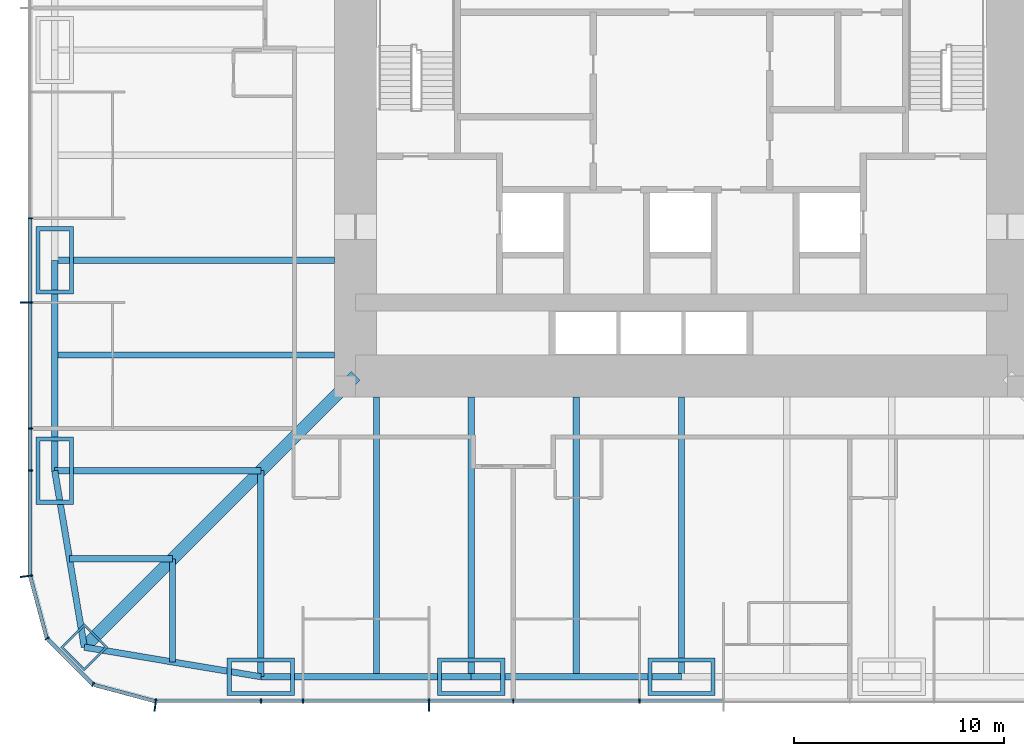
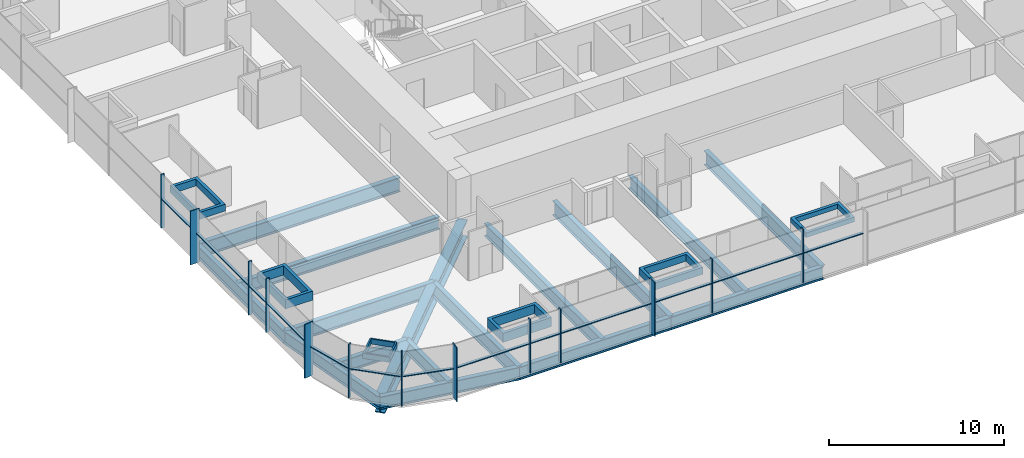
# One storey, part 2 of 17: 32 members, 16 beams, 3 elements without a shape of their own.
"""IFC4 building model written with IfcOpenShell, lengths in metres."""

from ifc_helpers import new_model, si_unit, direction, frame, origin, origin_2d, place, context, subcontext, project, spatial, rectangle, hollow_rectangle, i_section, extrude, material, material_profile, profile_set, type_object, element, aggregate, save


model = new_model("IFC4")

# Units and contexts
model_context = context("Model", 3, precision=1e-05, world=origin(), true_north=direction((0.0, 1.0)))
body_context = subcontext(model_context, "Body", "Model", "MODEL_VIEW")
ifc_project = project(units=[si_unit("LENGTHUNIT", "METRE"), si_unit("AREAUNIT", "SQUARE_METRE"), si_unit("VOLUMEUNIT", "CUBIC_METRE"), si_unit("PLANEANGLEUNIT", "RADIAN"), si_unit("MASSUNIT", "GRAM", prefix="KILO")], contexts=[model_context])

# Site, building, storey
site_placement = place(None, origin())
site = spatial("IfcSite", under=ifc_project, at=site_placement, CompositionType="ELEMENT")
building_placement = place(site_placement, origin())
building = spatial("IfcBuilding", under=site, at=building_placement, Name="Khuree Lantern Residences", CompositionType="ELEMENT")
storey_placement = place(building_placement, frame((0.0, 0.0, 96.0)))
storey = spatial("IfcBuildingStorey", under=building, at=storey_placement, Name="L24", CompositionType="ELEMENT", Elevation=96.0)

# Beams
ifc_material_1 = material(Name="Steel S355", Category="steel")
ifc_material_profile_1 = material_profile(ifc_material_1, i_section(OverallWidth=0.300048828125, OverallDepth=0.89990234375, WebThickness=0.0185546875, FlangeThickness=0.034912109375, FilletRadius=0.030029296875, at=origin_2d()), Name="HE 900 B")
ifc_profile_set_1 = profile_set([ifc_material_profile_1], Name="Steel S355")
beam_type_1 = type_object("IfcBeamType", Name="B-15A SECONDARY BEAM HE 900 B", PredefinedType="BEAM", material=ifc_profile_set_1)
for number, where, z_axis, x_axis, name in (
    (1, (-5.0, -29.800048828125, -0.699951171875), (0.0, 1.0, 0.0), (-1.0, 0.0, 0.0), "Secondary beam S4"),
    (2, (-14.5, -29.800048828125, -0.699951171875), (0.0, 1.0, 0.0), (-1.0, 0.0, 0.0), "Secondary beam S5"),
):
    element("IfcBeam", number, at=place(storey_placement, frame(where, z_axis=z_axis, x_axis=x_axis)), inside=storey, type_object=beam_type_1, Name=name, PredefinedType="BEAM", context=body_context, shape_type="SweptSolid", body=[
        extrude(i_section(OverallWidth=0.300048828125, OverallDepth=0.89990234375, WebThickness=0.0185546875, FlangeThickness=0.034912109375, FilletRadius=0.030029296875, at=origin_2d()), origin(), (0.0, 0.0, 1.0), 13.300048828125),
    ])
for number, where, z_axis, x_axis, name in (
    (3, (-24.197021484375, -29.09716796875, -0.699951171875), (0.0, 1.0, 0.0), (-1.0, 0.0, 0.0), "Secondary beam S6"),
    (4, (-29.09716796875, -24.197021484375, -0.699951171875), (1.0, 0.0, 0.0), (0.0, 1.0, 0.0), "Secondary beam W1"),
):
    element("IfcBeam", number, at=place(storey_placement, frame(where, z_axis=z_axis, x_axis=x_axis)), inside=storey, type_object=beam_type_1, Name=name, PredefinedType="BEAM", context=body_context, shape_type="SweptSolid", body=[
        extrude(i_section(OverallWidth=0.300048828125, OverallDepth=0.89990234375, WebThickness=0.0185546875, FlangeThickness=0.034912109375, FilletRadius=0.030029296875, at=origin_2d()), origin(), (0.0, 0.0, 1.0), 4.900146484375),
    ])
beam_1_placement = place(storey_placement, frame((-29.800048828125, -14.5, -0.699951171875), z_axis=(1.0, 0.0, 0.0), x_axis=(0.0, 1.0, 0.0)))
element("IfcBeam", 5, at=beam_1_placement, inside=storey, type_object=beam_type_1, Name="Secondary beam W2", PredefinedType="BEAM", context=body_context, shape_type="SweptSolid", body=[
    extrude(i_section(OverallWidth=0.300048828125, OverallDepth=0.89990234375, WebThickness=0.0185546875, FlangeThickness=0.034912109375, FilletRadius=0.030029296875, at=origin_2d()), origin(), (0.0, 0.0, 1.0), 13.300048828125),
])
ifc_material_profile_2 = material_profile(ifc_material_1, i_section(OverallWidth=0.300048828125, OverallDepth=0.889892578125, WebThickness=0.01611328125, FlangeThickness=0.030029296875, FilletRadius=0.030029296875, at=origin_2d()), Name="HE 900 A")
ifc_profile_set_2 = profile_set([ifc_material_profile_2], Name="Steel S355")
beam_type_2 = type_object("IfcBeamType", Name="E-15A SPANDREL BEAM HE 900 A", PredefinedType="SPANDREL", material=ifc_profile_set_2)
for number, where, z_axis, x_axis, name in (
    (6, (0.0, -29.800048828125, -0.695068359375), (-1.0, 0.0, 0.0), (0.0, -1.0, 0.0), "Spandrel beam S4"),
    (7, (-10.0, -29.800048828125, -0.695068359375), (-1.0, 0.0, 0.0), (0.0, -1.0, 0.0), "Spandrel beam S5"),
):
    element("IfcBeam", number, at=place(storey_placement, frame(where, z_axis=z_axis, x_axis=x_axis)), inside=storey, type_object=beam_type_2, Name=name, PredefinedType="SPANDREL", context=body_context, shape_type="SweptSolid", body=[
        extrude(i_section(OverallWidth=0.300048828125, OverallDepth=0.889892578125, WebThickness=0.01611328125, FlangeThickness=0.030029296875, FilletRadius=0.030029296875, at=origin_2d()), origin(), (0.0, 0.0, 1.0), 10.0),
    ])
for number, where, z_axis, x_axis, name in (
    (8, (-20.0, -29.800048828125, -0.695068359375), (-0.986260251158, 0.165199022349, 0.0), (-0.165199022349, -0.986260251158, 0.0), "Spandrel beam S6"),
    (9, (-28.39404296875, -28.39404296875, -0.695068359375), (-0.165199022349, 0.986260251158, 0.0), (-0.986260251158, -0.165199022349, 0.0), "Spandrel beam W1"),
):
    element("IfcBeam", number, at=place(storey_placement, frame(where, z_axis=z_axis, x_axis=x_axis)), inside=storey, type_object=beam_type_2, Name=name, PredefinedType="SPANDREL", context=body_context, shape_type="SweptSolid", body=[
        extrude(i_section(OverallWidth=0.300048828125, OverallDepth=0.889892578125, WebThickness=0.01611328125, FlangeThickness=0.030029296875, FilletRadius=0.030029296875, at=origin_2d()), origin(), (0.0, 0.0, 1.0), 8.510986328125),
    ])
beam_2_placement = place(storey_placement, frame((-29.800048828125, -20.0, -0.695068359375), z_axis=(0.0, 1.0, 0.0), x_axis=(-1.0, 0.0, 0.0)))
element("IfcBeam", 10, at=beam_2_placement, inside=storey, type_object=beam_type_2, Name="Spandrel beam W2", PredefinedType="SPANDREL", context=body_context, shape_type="SweptSolid", body=[
    extrude(i_section(OverallWidth=0.300048828125, OverallDepth=0.889892578125, WebThickness=0.01611328125, FlangeThickness=0.030029296875, FilletRadius=0.030029296875, at=origin_2d()), origin(), (0.0, 0.0, 1.0), 10.0),
])

# Curtain wall, member
ifc_material_2 = material(Name="Bronze anodised aluminium", Category="aluminium")
curtain_wall_type_1 = type_object("IfcCurtainWallType", Name="CW-T1 TOWER FACE CURTAIN WALL", PredefinedType="USERDEFINED", material=ifc_material_2)
curtain_wall_1_placement = place(storey_placement, origin())
curtain_wall_1 = element("IfcCurtainWall", 11, at=curtain_wall_1_placement, inside=storey, type_object=curtain_wall_type_1, Name="L24 WEST FACE CURTAIN WALL", ObjectType="Stick-built curtain wall", PredefinedType="USERDEFINED")
ifc_material_profile_3 = material_profile(ifc_material_2, rectangle(XDim=0.06494140625, YDim=0.60009765625, at=origin_2d()), Name="F1 65X600")
ifc_profile_set_3 = profile_set([ifc_material_profile_3], Name="Bronze anodised aluminium")
member_type_1 = type_object("IfcMemberType", Name="F1 BRONZE FIN MULLION TOWER 65X600", PredefinedType="MULLION", material=ifc_profile_set_3)
member_1_placement = place(storey_placement, frame((-31.14990234375, -12.0, 0.0), z_axis=(0.0, 0.0, 1.0), x_axis=(0.0, -1.0, 0.0)))
member_1 = element("IfcMember", 12, at=member_1_placement, type_object=member_type_1, Name="L24 WEST FACE FIN MULLION 40", PredefinedType="MULLION", context=body_context, shape_type="SweptSolid", body=[
    extrude(rectangle(XDim=0.06494140625, YDim=0.60009765625, at=origin_2d()), origin(), (0.0, 0.0, 1.0), 3.75),
])

curtain_wall_type_2 = type_object("IfcCurtainWallType", Name="CW-T2 TOWER CORNER CURTAIN WALL", PredefinedType="USERDEFINED", material=ifc_material_2)
curtain_wall_2_placement = place(storey_placement, origin())
curtain_wall_2 = element("IfcCurtainWall", 13, at=curtain_wall_2_placement, inside=storey, type_object=curtain_wall_type_2, Name="L24 SOUTH-WEST CORNER CURTAIN WALL", ObjectType="Faceted corner curtain wall", PredefinedType="USERDEFINED")
member_2_placement = place(storey_placement, frame((-31.150146484375, -25.019775390625, 0.0), z_axis=(0.0, 0.0, 1.0), x_axis=(0.130526257387, -0.991444852794, 0.0)))
member_2 = element("IfcMember", 14, at=member_2_placement, type_object=member_type_1, Name="L24 SOUTH-WEST CORNER FIN MULLION 43", PredefinedType="MULLION", context=body_context, shape_type="SweptSolid", body=[
    extrude(rectangle(XDim=0.06494140625, YDim=0.60009765625, at=origin_2d()), origin(), (0.0, 0.0, 1.0), 3.75),
])

# Curtain wall, members
curtain_wall_3_placement = place(storey_placement, origin())
curtain_wall_3 = element("IfcCurtainWall", 15, at=curtain_wall_3_placement, inside=storey, type_object=curtain_wall_type_1, Name="L24 SOUTH FACE CURTAIN WALL", ObjectType="Stick-built curtain wall", PredefinedType="USERDEFINED")
member_3_placement = place(storey_placement, frame((-25.019775390625, -31.150146484375, 0.0), z_axis=(0.0, 0.0, 1.0), x_axis=(0.991444852794, -0.130526257387, 0.0)))
member_3 = element("IfcMember", 16, at=member_3_placement, type_object=member_type_1, Name="L24 SOUTH FACE FIN MULLION 46", PredefinedType="MULLION", context=body_context, shape_type="SweptSolid", body=[
    extrude(rectangle(XDim=0.06494140625, YDim=0.60009765625, at=origin_2d()), origin(), (0.0, 0.0, 1.0), 3.75),
])
member_4_placement = place(storey_placement, frame((-12.0, -31.14990234375, 0.0), z_axis=(0.0, 0.0, 1.0), x_axis=(1.0, 0.0, 0.0)))
member_4 = element("IfcMember", 17, at=member_4_placement, type_object=member_type_1, Name="L24 SOUTH FACE FIN MULLION 49", PredefinedType="MULLION", context=body_context, shape_type="SweptSolid", body=[
    extrude(rectangle(XDim=0.06494140625, YDim=0.60009765625, at=origin_2d()), origin(), (0.0, 0.0, 1.0), 3.75),
])

# Beams
ifc_material_profile_4 = material_profile(ifc_material_1, i_section(OverallWidth=0.302001953125, OverallDepth=1.008056640625, WebThickness=0.02099609375, FlangeThickness=0.0400390625, FilletRadius=0.030029296875, at=origin_2d()), Name="HE 1000 M")
ifc_profile_set_4 = profile_set([ifc_material_profile_4], Name="Steel S355")
beam_type_3 = type_object("IfcBeamType", Name="G-15 GIRDER HE 1000 M", PredefinedType="BEAM", material=ifc_profile_set_4)
for number, where, z_axis, x_axis, name in (
    (18, (0.0, -29.800048828125, -0.75390625), (0.0, 1.0, 0.0), (-1.0, 0.0, 0.0), "Girder S3"),
    (19, (-10.0, -29.800048828125, -0.75390625), (0.0, 1.0, 0.0), (-1.0, 0.0, 0.0), "Girder S4"),
):
    element("IfcBeam", number, at=place(storey_placement, frame(where, z_axis=z_axis, x_axis=x_axis)), inside=storey, type_object=beam_type_3, Name=name, PredefinedType="BEAM", context=body_context, shape_type="SweptSolid", body=[
        extrude(i_section(OverallWidth=0.302001953125, OverallDepth=1.008056640625, WebThickness=0.02099609375, FlangeThickness=0.0400390625, FilletRadius=0.030029296875, at=origin_2d()), origin(), (0.0, 0.0, 1.0), 13.300048828125),
    ])
for number, where, z_axis, x_axis, name in (
    (20, (-20.0, -29.800048828125, -0.75390625), (0.0, 1.0, 0.0), (-1.0, 0.0, 0.0), "Girder S5"),
    (21, (-29.800048828125, -20.0, -0.75390625), (1.0, 0.0, 0.0), (0.0, 1.0, 0.0), "Girder W1"),
):
    element("IfcBeam", number, at=place(storey_placement, frame(where, z_axis=z_axis, x_axis=x_axis)), inside=storey, type_object=beam_type_3, Name=name, PredefinedType="BEAM", context=body_context, shape_type="SweptSolid", body=[
        extrude(i_section(OverallWidth=0.302001953125, OverallDepth=1.008056640625, WebThickness=0.02099609375, FlangeThickness=0.0400390625, FilletRadius=0.030029296875, at=origin_2d()), origin(), (0.0, 0.0, 1.0), 9.800048828125),
    ])
beam_3_placement = place(storey_placement, frame((-29.800048828125, -10.0, -0.75390625), z_axis=(1.0, 0.0, 0.0), x_axis=(0.0, 1.0, 0.0)))
element("IfcBeam", 22, at=beam_3_placement, inside=storey, type_object=beam_type_3, Name="Girder W2", PredefinedType="BEAM", context=body_context, shape_type="SweptSolid", body=[
    extrude(i_section(OverallWidth=0.302001953125, OverallDepth=1.008056640625, WebThickness=0.02099609375, FlangeThickness=0.0400390625, FilletRadius=0.030029296875, at=origin_2d()), origin(), (0.0, 0.0, 1.0), 13.300048828125),
])
ifc_material_profile_5 = material_profile(ifc_material_1, i_section(OverallWidth=0.60009765625, OverallDepth=1.199951171875, WebThickness=0.030029296875, FlangeThickness=0.06005859375, at=origin_2d()), Name="WELDED I 1200X600X30X60")
ifc_profile_set_5 = profile_set([ifc_material_profile_5], Name="Steel S355")
beam_type_4 = type_object("IfcBeamType", Name="GD-15 CORNER GIRDER WELDED I 1200X600X30X60", PredefinedType="BEAM", material=ifc_profile_set_5)
beam_4_placement = place(storey_placement, frame((-28.39404296875, -28.39404296875, -0.85009765625), z_axis=(0.707106781187, 0.707106781187, 0.0), x_axis=(-0.707106781187, 0.707106781187, 0.0)))
element("IfcBeam", 23, at=beam_4_placement, inside=storey, type_object=beam_type_4, Name="Corner girder SW", PredefinedType="BEAM", context=body_context, shape_type="SweptSolid", body=[
    extrude(i_section(OverallWidth=0.60009765625, OverallDepth=1.199951171875, WebThickness=0.030029296875, FlangeThickness=0.06005859375, at=origin_2d()), origin(), (0.0, 0.0, 1.0), 18.23486328125),
])

# Member
ifc_material_profile_6 = material_profile(ifc_material_2, rectangle(XDim=0.06494140625, YDim=0.219970703125, at=origin_2d()), Name="M1 65X220")
ifc_profile_set_6 = profile_set([ifc_material_profile_6], Name="Bronze anodised aluminium")
member_type_2 = type_object("IfcMemberType", Name="M1 BRONZE MULLION TOWER 65X220", PredefinedType="MULLION", material=ifc_profile_set_6)
member_5_placement = place(storey_placement, frame((-30.9599609375, -8.0, 0.0), z_axis=(0.0, 0.0, 1.0), x_axis=(0.0, -1.0, 0.0)))
member_5 = element("IfcMember", 24, at=member_5_placement, type_object=member_type_2, Name="L24 WEST FACE MULLION 39", PredefinedType="MULLION", context=body_context, shape_type="SweptSolid", body=[
    extrude(rectangle(XDim=0.06494140625, YDim=0.219970703125, at=origin_2d()), origin(), (0.0, 0.0, 1.0), 3.75),
])

member_6_placement = place(storey_placement, frame((-30.9599609375, -18.0, 0.0), z_axis=(0.0, 0.0, 1.0), x_axis=(0.0, -1.0, 0.0)))
member_6 = element("IfcMember", 25, at=member_6_placement, type_object=member_type_2, Name="L24 WEST FACE MULLION 41", PredefinedType="MULLION", context=body_context, shape_type="SweptSolid", body=[
    extrude(rectangle(XDim=0.06494140625, YDim=0.219970703125, at=origin_2d()), origin(), (0.0, 0.0, 1.0), 3.75),
])

member_7_placement = place(storey_placement, frame((-30.9599609375, -20.0, 0.0), z_axis=(0.0, 0.0, 1.0), x_axis=(0.0, -1.0, 0.0)))
member_7 = element("IfcMember", 26, at=member_7_placement, type_object=member_type_2, Name="L24 WEST FACE MULLION 42", PredefinedType="MULLION", context=body_context, shape_type="SweptSolid", body=[
    extrude(rectangle(XDim=0.06494140625, YDim=0.219970703125, at=origin_2d()), origin(), (0.0, 0.0, 1.0), 3.75),
])

member_8_placement = place(storey_placement, frame((-30.16162109375, -27.97998046875, 0.0), z_axis=(0.0, 0.0, 1.0), x_axis=(0.500000056923, -0.86602537092, 0.0)))
member_8 = element("IfcMember", 27, at=member_8_placement, type_object=member_type_2, Name="L24 SOUTH-WEST CORNER MULLION 44", PredefinedType="MULLION", context=body_context, shape_type="SweptSolid", body=[
    extrude(rectangle(XDim=0.06494140625, YDim=0.219970703125, at=origin_2d()), origin(), (0.0, 0.0, 1.0), 3.75),
])

member_9_placement = place(storey_placement, frame((-27.97998046875, -30.16162109375, 0.0), z_axis=(0.0, 0.0, 1.0), x_axis=(0.86602537092, -0.500000056923, 0.0)))
member_9 = element("IfcMember", 28, at=member_9_placement, type_object=member_type_2, Name="L24 SOUTH-WEST CORNER MULLION 45", PredefinedType="MULLION", context=body_context, shape_type="SweptSolid", body=[
    extrude(rectangle(XDim=0.06494140625, YDim=0.219970703125, at=origin_2d()), origin(), (0.0, 0.0, 1.0), 3.75),
])

member_10_placement = place(storey_placement, frame((-20.0, -30.9599609375, 0.0), z_axis=(0.0, 0.0, 1.0), x_axis=(1.0, 0.0, 0.0)))
member_10 = element("IfcMember", 29, at=member_10_placement, type_object=member_type_2, Name="L24 SOUTH FACE MULLION 47", PredefinedType="MULLION", context=body_context, shape_type="SweptSolid", body=[
    extrude(rectangle(XDim=0.06494140625, YDim=0.219970703125, at=origin_2d()), origin(), (0.0, 0.0, 1.0), 3.75),
])

member_11_placement = place(storey_placement, frame((-18.0, -30.9599609375, 0.0), z_axis=(0.0, 0.0, 1.0), x_axis=(1.0, 0.0, 0.0)))
member_11 = element("IfcMember", 30, at=member_11_placement, type_object=member_type_2, Name="L24 SOUTH FACE MULLION 48", PredefinedType="MULLION", context=body_context, shape_type="SweptSolid", body=[
    extrude(rectangle(XDim=0.06494140625, YDim=0.219970703125, at=origin_2d()), origin(), (0.0, 0.0, 1.0), 3.75),
])

member_12_placement = place(storey_placement, frame((-8.0, -30.9599609375, 0.0), z_axis=(0.0, 0.0, 1.0), x_axis=(1.0, 0.0, 0.0)))
member_12 = element("IfcMember", 31, at=member_12_placement, type_object=member_type_2, Name="L24 SOUTH FACE MULLION 50", PredefinedType="MULLION", context=body_context, shape_type="SweptSolid", body=[
    extrude(rectangle(XDim=0.06494140625, YDim=0.219970703125, at=origin_2d()), origin(), (0.0, 0.0, 1.0), 3.75),
])

member_13_placement = place(storey_placement, frame((-2.0, -30.9599609375, 0.0), z_axis=(0.0, 0.0, 1.0), x_axis=(1.0, 0.0, 0.0)))
member_13 = element("IfcMember", 32, at=member_13_placement, type_object=member_type_2, Name="L24 SOUTH FACE MULLION 51", PredefinedType="MULLION", context=body_context, shape_type="SweptSolid", body=[
    extrude(rectangle(XDim=0.06494140625, YDim=0.219970703125, at=origin_2d()), origin(), (0.0, 0.0, 1.0), 3.75),
])

# Members
ifc_material_3 = material(Name="Steel S355 CFT welded box", Category="steel")
ifc_material_profile_7 = material_profile(ifc_material_3, hollow_rectangle(XDim=3.199951171875, YDim=1.800048828125, WallThickness=0.199951171875, at=origin_2d()), Name="WELDED BOX 3200X1800X200")
ifc_profile_set_7 = profile_set([ifc_material_profile_7], Name="Steel S355 CFT welded box")
member_type_3 = type_object("IfcMemberType", Name="MN MEGA COLUMN NODE WELDED BOX 3200X1800X200", PredefinedType="MEMBER", material=ifc_profile_set_7)
member_14_placement = place(storey_placement, frame((0.0, -29.800048828125, 2.780029296875), z_axis=(0.0, 0.0, 1.0), x_axis=(1.0, 0.0, 0.0)))
element("IfcMember", 33, at=member_14_placement, inside=storey, type_object=member_type_3, Name="Mega column node S3", PredefinedType="MEMBER", context=body_context, shape_type="SweptSolid", body=[
    extrude(hollow_rectangle(XDim=3.199951171875, YDim=1.800048828125, WallThickness=0.199951171875, at=origin_2d()), origin(), (0.0, 0.0, 1.0), 0.320068359375),
])
member_15_placement = place(storey_placement, frame((-10.0, -29.800048828125, 2.6201171875), z_axis=(0.0, 0.0, 1.0), x_axis=(1.0, 0.0, 0.0)))
element("IfcMember", 34, at=member_15_placement, inside=storey, type_object=member_type_3, Name="Mega column node S4", PredefinedType="MEMBER", context=body_context, shape_type="SweptSolid", body=[
    extrude(hollow_rectangle(XDim=3.199951171875, YDim=1.800048828125, WallThickness=0.199951171875, at=origin_2d()), origin(), (0.0, 0.0, 1.0), 0.47998046875),
])
for number, where, z_axis, x_axis, name in (
    (35, (-20.0, -29.800048828125, 2.469970703125), (0.0, 0.0, 1.0), (1.0, 0.0, 0.0), "Mega column node S5"),
    (36, (-29.800048828125, -20.0, 2.469970703125), (0.0, 0.0, 1.0), (0.0, 1.0, 0.0), "Mega column node W1"),
):
    element("IfcMember", number, at=place(storey_placement, frame(where, z_axis=z_axis, x_axis=x_axis)), inside=storey, type_object=member_type_3, Name=name, PredefinedType="MEMBER", context=body_context, shape_type="SweptSolid", body=[
        extrude(hollow_rectangle(XDim=3.199951171875, YDim=1.800048828125, WallThickness=0.199951171875, at=origin_2d()), origin(), (0.0, 0.0, 1.0), 0.630126953125),
    ])
member_16_placement = place(storey_placement, frame((-29.800048828125, -10.0, 2.6201171875), z_axis=(0.0, 0.0, 1.0), x_axis=(0.0, 1.0, 0.0)))
element("IfcMember", 37, at=member_16_placement, inside=storey, type_object=member_type_3, Name="Mega column node W2", PredefinedType="MEMBER", context=body_context, shape_type="SweptSolid", body=[
    extrude(hollow_rectangle(XDim=3.199951171875, YDim=1.800048828125, WallThickness=0.199951171875, at=origin_2d()), origin(), (0.0, 0.0, 1.0), 0.47998046875),
])
ifc_material_profile_8 = material_profile(ifc_material_3, hollow_rectangle(XDim=1.60009765625, YDim=1.60009765625, WallThickness=0.10009765625, at=origin_2d()), Name="WELDED BOX 1600X1600X100")
ifc_profile_set_8 = profile_set([ifc_material_profile_8], Name="Steel S355 CFT welded box")
member_type_4 = type_object("IfcMemberType", Name="MNA MEGA COLUMN NODE WELDED BOX 1600X1600X100", PredefinedType="MEMBER", material=ifc_profile_set_8)
member_17_placement = place(storey_placement, frame((-28.39404296875, -28.39404296875, 2.739990234375), z_axis=(0.0, 0.0, 1.0), x_axis=(0.707106781187, -0.707106781187, 0.0)))
element("IfcMember", 38, at=member_17_placement, inside=storey, type_object=member_type_4, Name="Mega column node SW", PredefinedType="MEMBER", context=body_context, shape_type="SweptSolid", body=[
    extrude(hollow_rectangle(XDim=1.60009765625, YDim=1.60009765625, WallThickness=0.10009765625, at=origin_2d()), origin(), (0.0, 0.0, 1.0), 0.360107421875),
])

# Member
ifc_material_profile_9 = material_profile(ifc_material_2, rectangle(XDim=0.179931640625, YDim=0.06494140625, at=origin_2d()), Name="T1 180X65")
ifc_profile_set_9 = profile_set([ifc_material_profile_9], Name="Bronze anodised aluminium")
member_type_5 = type_object("IfcMemberType", Name="TRANSOM T1 TOWER 180X65", PredefinedType="USERDEFINED", material=ifc_profile_set_9)
member_18_placement = place(storey_placement, frame((-30.969970703125, -8.032470703125, 2.050048828125), z_axis=(0.0, -1.0, 0.0), x_axis=(1.0, 0.0, 0.0)))
member_18 = element("IfcMember", 39, at=member_18_placement, type_object=member_type_5, Name="L24 WEST FACE TRANSOM 39.1", ObjectType="Transom", PredefinedType="USERDEFINED", context=body_context, shape_type="SweptSolid", body=[
    extrude(rectangle(XDim=0.179931640625, YDim=0.06494140625, at=origin_2d()), origin(), (0.0, 0.0, 1.0), 3.93505859375),
])

member_19_placement = place(storey_placement, frame((-30.969970703125, -12.032470703125, 2.050048828125), z_axis=(0.0, -1.0, 0.0), x_axis=(1.0, 0.0, 0.0)))
member_19 = element("IfcMember", 40, at=member_19_placement, type_object=member_type_5, Name="L24 WEST FACE TRANSOM 40.1", ObjectType="Transom", PredefinedType="USERDEFINED", context=body_context, shape_type="SweptSolid", body=[
    extrude(rectangle(XDim=0.179931640625, YDim=0.06494140625, at=origin_2d()), origin(), (0.0, 0.0, 1.0), 5.93505859375),
])

member_20_placement = place(storey_placement, frame((-30.969970703125, -18.032470703125, 2.050048828125), z_axis=(0.0, -1.0, 0.0), x_axis=(1.0, 0.0, 0.0)))
member_20 = element("IfcMember", 41, at=member_20_placement, type_object=member_type_5, Name="L24 WEST FACE TRANSOM 41.1", ObjectType="Transom", PredefinedType="USERDEFINED", context=body_context, shape_type="SweptSolid", body=[
    extrude(rectangle(XDim=0.179931640625, YDim=0.06494140625, at=origin_2d()), origin(), (0.0, 0.0, 1.0), 1.93505859375),
])

member_21_placement = place(storey_placement, frame((-30.969970703125, -20.032470703125, 2.050048828125), z_axis=(0.0, -1.0, 0.0), x_axis=(1.0, 0.0, 0.0)))
member_21 = element("IfcMember", 42, at=member_21_placement, type_object=member_type_5, Name="L24 WEST FACE TRANSOM 42.1", ObjectType="Transom", PredefinedType="USERDEFINED", context=body_context, shape_type="SweptSolid", body=[
    extrude(rectangle(XDim=0.179931640625, YDim=0.06494140625, at=origin_2d()), origin(), (0.0, 0.0, 1.0), 4.9189453125),
])

aggregate(curtain_wall_1, [member_5, member_1, member_6, member_7, member_18, member_19, member_20, member_21])

member_22_placement = place(storey_placement, frame((-30.95849609375, -25.0390625, 2.050048828125), z_axis=(0.258785036271, -0.965934938286, 0.0), x_axis=(0.965934938286, 0.258785036271, 0.0)))
member_22 = element("IfcMember", 43, at=member_22_placement, type_object=member_type_5, Name="L24 SOUTH-WEST CORNER TRANSOM 43.1", ObjectType="Transom", PredefinedType="USERDEFINED", context=body_context, shape_type="SweptSolid", body=[
    extrude(rectangle(XDim=0.179931640625, YDim=0.06494140625, at=origin_2d()), origin(), (0.0, 0.0, 1.0), 2.991455078125),
])

member_23_placement = place(storey_placement, frame((-30.12841796875, -28.025390625, 2.050048828125), z_axis=(0.707106781187, -0.707106781187, 0.0), x_axis=(0.707106781187, 0.707106781187, 0.0)))
member_23 = element("IfcMember", 44, at=member_23_placement, type_object=member_type_5, Name="L24 SOUTH-WEST CORNER TRANSOM 44.1", ObjectType="Transom", PredefinedType="USERDEFINED", context=body_context, shape_type="SweptSolid", body=[
    extrude(rectangle(XDim=0.179931640625, YDim=0.06494140625, at=origin_2d()), origin(), (0.0, 0.0, 1.0), 2.97412109375),
])

member_24_placement = place(storey_placement, frame((-27.9287109375, -30.184326171875, 2.050048828125), z_axis=(0.965934938286, -0.258785036271, 0.0), x_axis=(0.258785036271, 0.965934938286, 0.0)))
member_24 = element("IfcMember", 45, at=member_24_placement, type_object=member_type_5, Name="L24 SOUTH-WEST CORNER TRANSOM 45.1", ObjectType="Transom", PredefinedType="USERDEFINED", context=body_context, shape_type="SweptSolid", body=[
    extrude(rectangle(XDim=0.179931640625, YDim=0.06494140625, at=origin_2d()), origin(), (0.0, 0.0, 1.0), 2.991455078125),
])

aggregate(curtain_wall_2, [member_2, member_8, member_9, member_22, member_23, member_24])

member_25_placement = place(storey_placement, frame((-24.951416015625, -30.969970703125, 2.050048828125), z_axis=(1.0, 0.0, 0.0), x_axis=(0.0, 1.0, 0.0)))
member_25 = element("IfcMember", 46, at=member_25_placement, type_object=member_type_5, Name="L24 SOUTH FACE TRANSOM 46.1", ObjectType="Transom", PredefinedType="USERDEFINED", context=body_context, shape_type="SweptSolid", body=[
    extrude(rectangle(XDim=0.179931640625, YDim=0.06494140625, at=origin_2d()), origin(), (0.0, 0.0, 1.0), 4.9189453125),
])

member_26_placement = place(storey_placement, frame((-19.967529296875, -30.969970703125, 2.050048828125), z_axis=(1.0, 0.0, 0.0), x_axis=(0.0, 1.0, 0.0)))
member_26 = element("IfcMember", 47, at=member_26_placement, type_object=member_type_5, Name="L24 SOUTH FACE TRANSOM 47.1", ObjectType="Transom", PredefinedType="USERDEFINED", context=body_context, shape_type="SweptSolid", body=[
    extrude(rectangle(XDim=0.179931640625, YDim=0.06494140625, at=origin_2d()), origin(), (0.0, 0.0, 1.0), 1.93505859375),
])

member_27_placement = place(storey_placement, frame((-17.967529296875, -30.969970703125, 2.050048828125), z_axis=(1.0, 0.0, 0.0), x_axis=(0.0, 1.0, 0.0)))
member_27 = element("IfcMember", 48, at=member_27_placement, type_object=member_type_5, Name="L24 SOUTH FACE TRANSOM 48.1", ObjectType="Transom", PredefinedType="USERDEFINED", context=body_context, shape_type="SweptSolid", body=[
    extrude(rectangle(XDim=0.179931640625, YDim=0.06494140625, at=origin_2d()), origin(), (0.0, 0.0, 1.0), 5.93505859375),
])

member_28_placement = place(storey_placement, frame((-11.967529296875, -30.969970703125, 2.050048828125), z_axis=(1.0, 0.0, 0.0), x_axis=(0.0, 1.0, 0.0)))
member_28 = element("IfcMember", 49, at=member_28_placement, type_object=member_type_5, Name="L24 SOUTH FACE TRANSOM 49.1", ObjectType="Transom", PredefinedType="USERDEFINED", context=body_context, shape_type="SweptSolid", body=[
    extrude(rectangle(XDim=0.179931640625, YDim=0.06494140625, at=origin_2d()), origin(), (0.0, 0.0, 1.0), 3.93505859375),
])

member_29_placement = place(storey_placement, frame((-7.967529296875, -30.969970703125, 2.050048828125), z_axis=(1.0, 0.0, 0.0), x_axis=(0.0, 1.0, 0.0)))
member_29 = element("IfcMember", 50, at=member_29_placement, type_object=member_type_5, Name="L24 SOUTH FACE TRANSOM 50.1", ObjectType="Transom", PredefinedType="USERDEFINED", context=body_context, shape_type="SweptSolid", body=[
    extrude(rectangle(XDim=0.179931640625, YDim=0.06494140625, at=origin_2d()), origin(), (0.0, 0.0, 1.0), 5.93505859375),
])

member_30_placement = place(storey_placement, frame((-1.967529296875, -30.969970703125, 2.050048828125), z_axis=(1.0, 0.0, 0.0), x_axis=(0.0, 1.0, 0.0)))
member_30 = element("IfcMember", 51, at=member_30_placement, type_object=member_type_5, Name="L24 SOUTH FACE TRANSOM 51.1", ObjectType="Transom", PredefinedType="USERDEFINED", context=body_context, shape_type="SweptSolid", body=[
    extrude(rectangle(XDim=0.179931640625, YDim=0.06494140625, at=origin_2d()), origin(), (0.0, 0.0, 1.0), 3.93505859375),
])

aggregate(curtain_wall_3, [member_3, member_10, member_11, member_4, member_12, member_13, member_25, member_26, member_27, member_28, member_29, member_30])

save(model, "model.ifc")
